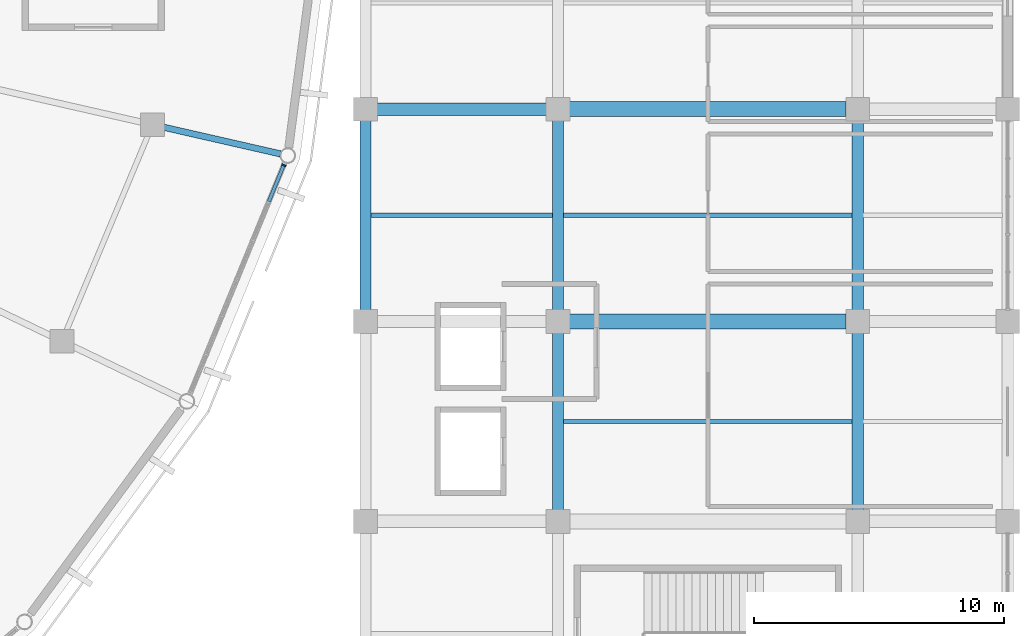
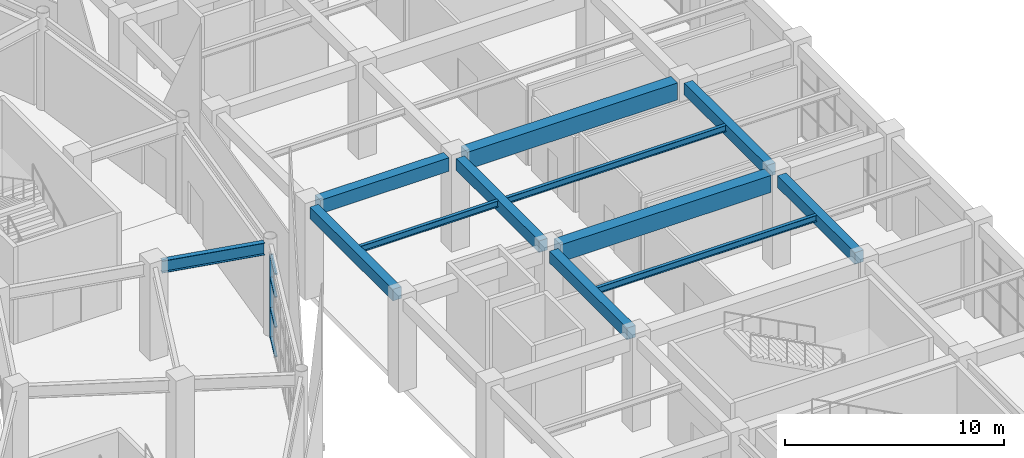
# One storey, part 49 of 120: 12 beams, 5 members, 1 element without a shape of its own.
"""IFC4 building model written with IfcOpenShell, lengths in metres."""

from ifc_helpers import new_model, si_unit, direction, frame, origin, origin_2d, place, context, subcontext, project, spatial, rectangle, i_section, extrude, material, material_profile, profile_set, type_object, element, aggregate, save


model = new_model("IFC4")

# Units and contexts
model_context = context("Model", 3, precision=1e-05, world=origin(), true_north=direction((0.0, 1.0)))
body_context = subcontext(model_context, "Body", "Model", "MODEL_VIEW")
ifc_project = project(units=[si_unit("LENGTHUNIT", "METRE"), si_unit("AREAUNIT", "SQUARE_METRE"), si_unit("VOLUMEUNIT", "CUBIC_METRE"), si_unit("PLANEANGLEUNIT", "RADIAN"), si_unit("MASSUNIT", "GRAM", prefix="KILO")], contexts=[model_context])

# Site, building, storey
site_placement = place(None, origin())
site = spatial("IfcSite", under=ifc_project, at=site_placement, CompositionType="ELEMENT")
building_placement = place(site_placement, origin())
building = spatial("IfcBuilding", under=site, at=building_placement, Name="Cuetzalor Civic Arena", CompositionType="ELEMENT")
storey_placement = place(building_placement, frame((0.0, 0.0, 6.0)))
storey = spatial("IfcBuildingStorey", under=building, at=storey_placement, Name="L01", CompositionType="ELEMENT", Elevation=6.0)

# Beams
ifc_material_1 = material(Name="Concrete C40/50", Category="concrete")
ifc_material_profile_1 = material_profile(ifc_material_1, rectangle(XDim=0.5, YDim=0.75, at=origin_2d()), Name="RC 500x750")
ifc_profile_set_1 = profile_set([ifc_material_profile_1], Name="Concrete C40/50")
beam_type_1 = type_object("IfcBeamType", Name="ConcreteFrameBeam_500x750", PredefinedType="BEAM", material=ifc_profile_set_1)
beam_1_placement = place(storey_placement, frame((56.764892578125, -8.5, 4.7451171875), z_axis=(1.0, 0.0, 0.0), x_axis=(0.0, 1.0, 0.0)))
element("IfcBeam", 1, at=beam_1_placement, inside=storey, type_object=beam_type_1, Name="Frame Girder V4E-L01-X0441", PredefinedType="BEAM", context=body_context, shape_type="SweptSolid", body=[
    extrude(rectangle(XDim=0.5, YDim=0.75, at=origin_2d()), origin(), (0.0, 0.0, 1.0), 6.77001953125),
])
ifc_material_2 = material(Name="Concrete C40/50", Category="concrete")
ifc_material_profile_2 = material_profile(ifc_material_2, rectangle(XDim=0.60009765625, YDim=0.949951171875, at=origin_2d()), Name="RC 600x950")
ifc_profile_set_2 = profile_set([ifc_material_profile_2], Name="Concrete C40/50")
beam_type_2 = type_object("IfcBeamType", Name="ConcreteFrameBeam_600x950", PredefinedType="BEAM", material=ifc_profile_set_2)
for number, where, z_axis, x_axis, name in (
    (2, (64.465087890625, -17.0, 4.64501953125), (1.0, 0.0, 0.0), (0.0, 1.0, 0.0), "Frame Girder V4E-L01-X0439"),
    (3, (64.465087890625, -8.5, 4.64501953125), (1.0, 0.0, 0.0), (0.0, 1.0, 0.0), "Frame Girder V4E-L01-X0442"),
):
    element("IfcBeam", number, at=place(storey_placement, frame(where, z_axis=z_axis, x_axis=x_axis)), inside=storey, type_object=beam_type_2, Name=name, PredefinedType="BEAM", context=body_context, shape_type="SweptSolid", body=[
        extrude(rectangle(XDim=0.60009765625, YDim=0.949951171875, at=origin_2d()), origin(), (0.0, 0.0, 1.0), 11.06982421875),
    ])
ifc_material_3 = material(Name="Concrete C40/50", Category="concrete")
ifc_material_profile_3 = material_profile(ifc_material_3, rectangle(XDim=0.449951171875, YDim=0.64990234375, at=origin_2d()), Name="RC 450x650")
ifc_profile_set_3 = profile_set([ifc_material_profile_3], Name="Concrete C40/50")
beam_type_3 = type_object("IfcBeamType", Name="ConcreteTieBeam_450x650", PredefinedType="BEAM", material=ifc_profile_set_3)
beam_2_placement = place(storey_placement, frame((56.300048828125, -16.534912109375, 4.794921875), z_axis=(0.0, 1.0, 0.0), x_axis=(-1.0, 0.0, 0.0)))
element("IfcBeam", 4, at=beam_2_placement, inside=storey, type_object=beam_type_3, Name="Frame Girder V4E-L01-Y0465", PredefinedType="BEAM", context=body_context, shape_type="SweptSolid", body=[
    extrude(rectangle(XDim=0.449951171875, YDim=0.64990234375, at=origin_2d()), origin(), (0.0, 0.0, 1.0), 7.56982421875),
])
beam_3_placement = place(storey_placement, frame((64.0, -24.534912109375, 4.794921875), z_axis=(0.0, 1.0, 0.0), x_axis=(-1.0, 0.0, 0.0)))
element("IfcBeam", 5, at=beam_3_placement, inside=storey, type_object=beam_type_3, Name="Frame Girder V4E-L01-Y0474", PredefinedType="BEAM", context=body_context, shape_type="SweptSolid", body=[
    extrude(rectangle(XDim=0.449951171875, YDim=0.64990234375, at=origin_2d()), origin(), (0.0, 0.0, 1.0), 7.06982421875),
])
beam_4_placement = place(storey_placement, frame((64.0, -16.534912109375, 4.794921875), z_axis=(0.0, 1.0, 0.0), x_axis=(-1.0, 0.0, 0.0)))
element("IfcBeam", 6, at=beam_4_placement, inside=storey, type_object=beam_type_3, Name="Frame Girder V4E-L01-Y0475", PredefinedType="BEAM", context=body_context, shape_type="SweptSolid", body=[
    extrude(rectangle(XDim=0.449951171875, YDim=0.64990234375, at=origin_2d()), origin(), (0.0, 0.0, 1.0), 7.56982421875),
])
beam_5_placement = place(storey_placement, frame((76.0, -24.534912109375, 4.794921875), z_axis=(0.0, 1.0, 0.0), x_axis=(-1.0, 0.0, 0.0)))
element("IfcBeam", 7, at=beam_5_placement, inside=storey, type_object=beam_type_3, Name="Frame Girder V4E-L01-Y0484", PredefinedType="BEAM", context=body_context, shape_type="SweptSolid", body=[
    extrude(rectangle(XDim=0.449951171875, YDim=0.64990234375, at=origin_2d()), origin(), (0.0, 0.0, 1.0), 7.06982421875),
])
beam_6_placement = place(storey_placement, frame((76.0, -16.534912109375, 4.794921875), z_axis=(0.0, 1.0, 0.0), x_axis=(-1.0, 0.0, 0.0)))
element("IfcBeam", 8, at=beam_6_placement, inside=storey, type_object=beam_type_3, Name="Frame Girder V4E-L01-Y0485", PredefinedType="BEAM", context=body_context, shape_type="SweptSolid", body=[
    extrude(rectangle(XDim=0.449951171875, YDim=0.64990234375, at=origin_2d()), origin(), (0.0, 0.0, 1.0), 7.56982421875),
])

# Curtain wall, members
ifc_material_4 = material(Name="Anodised dark bronze aluminium and low-E solar glass", Category="aluminium")
curtain_wall_type = type_object("IfcCurtainWallType", Name="UnitisedCW_9850x4650", PredefinedType="USERDEFINED", material=ifc_material_4)
curtain_wall_placement = place(storey_placement, origin())
curtain_wall = element("IfcCurtainWall", 9, at=curtain_wall_placement, inside=storey, type_object=curtain_wall_type, Name="Drum Triangle Foyer Curtain Wall L01-032", ObjectType="UNITISED CURTAIN WALL", PredefinedType="USERDEFINED")
ifc_material_5 = material(Name="Anodised dark bronze aluminium", Category="aluminium")
ifc_material_profile_4 = material_profile(ifc_material_5, rectangle(XDim=0.070068359375, YDim=0.179931640625, at=origin_2d()), Name="ALU MULLION 70x180")
ifc_profile_set_4 = profile_set([ifc_material_profile_4], Name="Anodised dark bronze aluminium")
member_type_1 = type_object("IfcMemberType", Name="CurtainWallMullion_65x180", PredefinedType="MULLION", material=ifc_profile_set_4)
member_1_placement = place(storey_placement, frame((53.02490234375, -10.7421875, 0.0), z_axis=(0.0, 0.0, 1.0), x_axis=(-0.379391428583, -0.925236263836, 0.0)))
member_1 = element("IfcMember", 10, at=member_1_placement, type_object=member_type_1, Name="CW-11 mullion 1", PredefinedType="MULLION", context=body_context, shape_type="SweptSolid", body=[
    extrude(rectangle(XDim=0.070068359375, YDim=0.179931640625, at=origin_2d()), origin(), (0.0, 0.0, 1.0), 4.653076171875),
])
ifc_material_6 = material(Name="Anodised dark bronze aluminium", Category="aluminium")
ifc_material_profile_5 = material_profile(ifc_material_6, rectangle(XDim=0.139892578125, YDim=0.070068359375, at=origin_2d()), Name="ALU TRANSOM 70x140")
ifc_profile_set_5 = profile_set([ifc_material_profile_5], Name="Anodised dark bronze aluminium")
member_type_2 = type_object("IfcMemberType", Name="CurtainWallTransom_65x140", PredefinedType="USERDEFINED", material=ifc_profile_set_5)
member_2_placement = place(storey_placement, frame((53.01171875, -10.774658203125, 0.034912109375), z_axis=(-0.379490282, -0.925195723005, 0.0), x_axis=(0.925195723005, -0.379490282, 0.0)))
member_2 = element("IfcMember", 11, at=member_2_placement, type_object=member_type_2, Name="CW-11 transom 1.1", ObjectType="TRANSOM", PredefinedType="USERDEFINED", context=body_context, shape_type="SweptSolid", body=[
    extrude(rectangle(XDim=0.139892578125, YDim=0.070068359375, at=origin_2d()), origin(), (0.0, 0.0, 1.0), 1.540771484375),
])
member_3_placement = place(storey_placement, frame((53.01171875, -10.774658203125, 1.675048828125), z_axis=(-0.379490282, -0.925195723005, 0.0), x_axis=(0.925195723005, -0.379490282, 0.0)))
member_3 = element("IfcMember", 12, at=member_3_placement, type_object=member_type_2, Name="CW-11 transom 1.2", ObjectType="TRANSOM", PredefinedType="USERDEFINED", context=body_context, shape_type="SweptSolid", body=[
    extrude(rectangle(XDim=0.139892578125, YDim=0.070068359375, at=origin_2d()), origin(), (0.0, 0.0, 1.0), 1.540771484375),
])
member_4_placement = place(storey_placement, frame((53.01171875, -10.774658203125, 3.35009765625), z_axis=(-0.379490282, -0.925195723005, 0.0), x_axis=(0.925195723005, -0.379490282, 0.0)))
member_4 = element("IfcMember", 13, at=member_4_placement, type_object=member_type_2, Name="CW-11 transom 1.3", ObjectType="TRANSOM", PredefinedType="USERDEFINED", context=body_context, shape_type="SweptSolid", body=[
    extrude(rectangle(XDim=0.139892578125, YDim=0.070068359375, at=origin_2d()), origin(), (0.0, 0.0, 1.0), 1.540771484375),
])
member_5_placement = place(storey_placement, frame((53.01171875, -10.774658203125, 4.617919921875), z_axis=(-0.379490282, -0.925195723005, 0.0), x_axis=(0.925195723005, -0.379490282, 0.0)))
member_5 = element("IfcMember", 14, at=member_5_placement, type_object=member_type_2, Name="CW-11 transom 1.4", ObjectType="TRANSOM", PredefinedType="USERDEFINED", context=body_context, shape_type="SweptSolid", body=[
    extrude(rectangle(XDim=0.139892578125, YDim=0.070068359375, at=origin_2d()), origin(), (0.0, 0.0, 1.0), 1.540771484375),
])
aggregate(curtain_wall, [member_1, member_2, member_3, member_4, member_5])

# Beams
ifc_material_7 = material(Name="Steel S355", Category="steel")
ifc_material_profile_6 = material_profile(ifc_material_7, i_section(OverallWidth=0.1708984375, OverallDepth=0.35498046875, WebThickness=0.007080078125, FlangeThickness=0.01171875, at=origin_2d()), Name="W360x51")
ifc_profile_set_6 = profile_set([ifc_material_profile_6], Name="Steel S355")
beam_type_4 = type_object("IfcBeamType", Name="SecondaryFloorJoist_W360", PredefinedType="JOIST", material=ifc_profile_set_6)
beam_7_placement = place(storey_placement, frame((56.51708984375, -12.75, 4.9423828125), z_axis=(1.0, 0.0, 0.0), x_axis=(0.0, 1.0, 0.0)))
element("IfcBeam", 15, at=beam_7_placement, inside=storey, type_object=beam_type_4, Name="Secondary Floor Joist V4E-L01-0138", PredefinedType="JOIST", context=body_context, shape_type="SweptSolid", body=[
    extrude(i_section(OverallWidth=0.1708984375, OverallDepth=0.35498046875, WebThickness=0.007080078125, FlangeThickness=0.01171875, at=origin_2d()), origin(), (0.0, 0.0, 1.0), 7.265869140625),
])
for number, where, z_axis, x_axis, name in (
    (16, (64.217041015625, -21.0, 4.9423828125), (1.0, 0.0, 0.0), (0.0, 1.0, 0.0), "Secondary Floor Joist V4E-L01-0145"),
    (17, (64.217041015625, -12.75, 4.9423828125), (1.0, 0.0, 0.0), (0.0, 1.0, 0.0), "Secondary Floor Joist V4E-L01-0146"),
):
    element("IfcBeam", number, at=place(storey_placement, frame(where, z_axis=z_axis, x_axis=x_axis)), inside=storey, type_object=beam_type_4, Name=name, PredefinedType="JOIST", context=body_context, shape_type="SweptSolid", body=[
        extrude(i_section(OverallWidth=0.1708984375, OverallDepth=0.35498046875, WebThickness=0.007080078125, FlangeThickness=0.01171875, at=origin_2d()), origin(), (0.0, 0.0, 1.0), 11.56591796875),
    ])
ifc_material_8 = material(Name="Steel S355", Category="steel")
ifc_material_profile_7 = material_profile(ifc_material_8, i_section(OverallWidth=0.2529296875, OverallDepth=0.677978515625, WebThickness=0.01171875, FlangeThickness=0.016357421875, at=origin_2d()), Name="W690x125")
ifc_profile_set_7 = profile_set([ifc_material_profile_7], Name="Steel S355")
beam_type_5 = type_object("IfcBeamType", Name="SteelPrimaryGirder_W690", PredefinedType="BEAM", material=ifc_profile_set_7)
beam_8_placement = place(storey_placement, frame((48.12255859375, -9.20361328125, 4.781005859375), z_axis=(0.974939153271, -0.222471677792, 0.0), x_axis=(0.222471677792, 0.974939153271, 0.0)))
element("IfcBeam", 18, at=beam_8_placement, inside=storey, type_object=beam_type_5, Name="Drum Radial Girder L01-R28", PredefinedType="BEAM", context=body_context, shape_type="SweptSolid", body=[
    extrude(i_section(OverallWidth=0.2529296875, OverallDepth=0.677978515625, WebThickness=0.01171875, FlangeThickness=0.016357421875, at=origin_2d()), origin(), (0.0, 0.0, 1.0), 4.89990234375),
])

save(model, "model.ifc")
